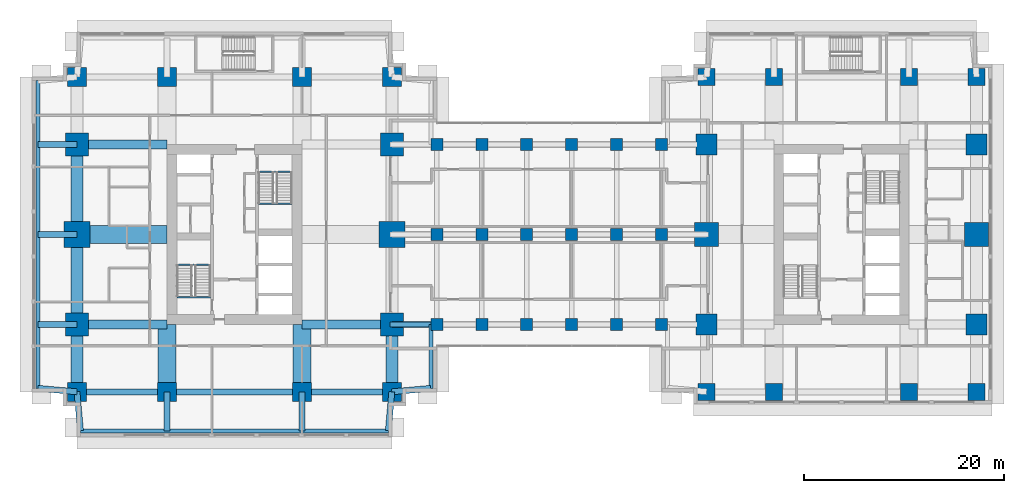
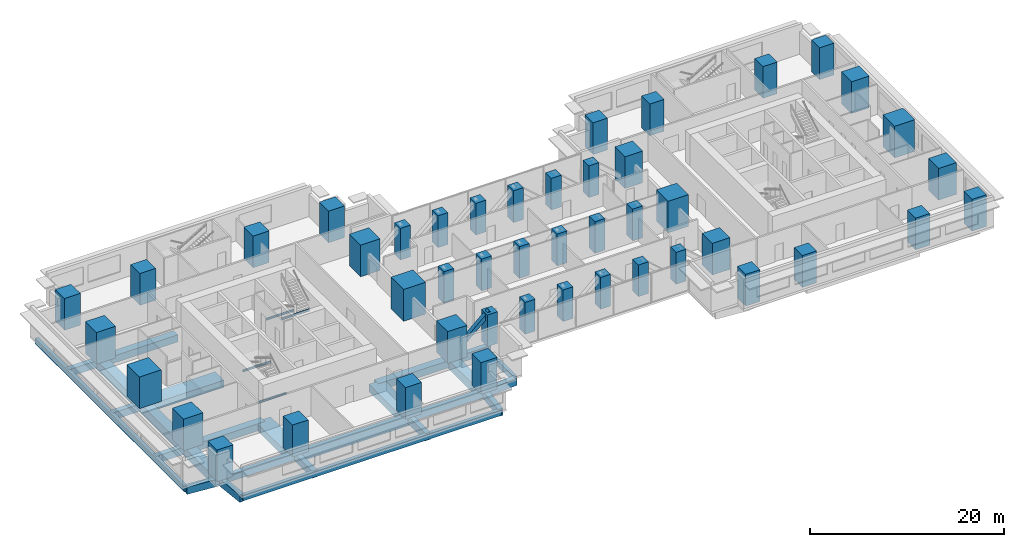
# One storey, part 1 of 16: 46 columns, 30 beams, 1 member.
"""IFC4 building model written with IfcOpenShell, lengths in metres."""

from ifc_helpers import new_model, si_unit, direction, frame, origin, origin_2d, place, context, subcontext, project, spatial, rectangle, hollow_rectangle, i_section, extrude, material, material_profile, profile_set, type_object, element, save


model = new_model("IFC4")

# Units and contexts
model_context = context("Model", 3, precision=1e-05, world=origin(), true_north=direction((0.0, 1.0)))
body_context = subcontext(model_context, "Body", "Model", "MODEL_VIEW")
ifc_project = project(units=[si_unit("LENGTHUNIT", "METRE"), si_unit("AREAUNIT", "SQUARE_METRE"), si_unit("VOLUMEUNIT", "CUBIC_METRE"), si_unit("PLANEANGLEUNIT", "RADIAN"), si_unit("MASSUNIT", "GRAM", prefix="KILO")], contexts=[model_context])

# Site, building, storey
site_placement = place(None, origin())
site = spatial("IfcSite", under=ifc_project, at=site_placement, CompositionType="ELEMENT")
building_placement = place(site_placement, origin())
building = spatial("IfcBuilding", under=site, at=building_placement, Name="Namib Vertical Campus", CompositionType="ELEMENT")
storey_placement = place(building_placement, frame((0.0, 0.0, 121.0)))
storey = spatial("IfcBuildingStorey", under=building, at=storey_placement, Name="L28", CompositionType="ELEMENT", Elevation=121.0)

# Columns
ifc_material_1 = material(Name="Concrete C60/75", Category="concrete")
ifc_material_profile_1 = material_profile(ifc_material_1, rectangle(XDim=1.199951171875, YDim=1.199951171875, at=origin_2d()))
ifc_profile_set_1 = profile_set([ifc_material_profile_1], Name="Concrete C60/75")
column_type_1 = type_object("IfcColumnType", Name="Bridge column RC 1200x1200", PredefinedType="COLUMN", material=ifc_profile_set_1)
for number, where, z_axis, x_axis, name in (
    (1, (40.5, 11.25, 0.0), (0.0, 0.0, 1.0), (1.0, 0.0, 0.0), "Column BC6 L28"),
    (2, (45.0, 11.25, 0.0), (0.0, 0.0, 1.0), (1.0, 0.0, 0.0), "Column BC6 L28"),
    (3, (49.5, 11.25, 0.0), (0.0, 0.0, 1.0), (1.0, 0.0, 0.0), "Column BC6 L28"),
    (4, (54.0, 11.25, 0.0), (0.0, 0.0, 1.0), (1.0, 0.0, 0.0), "Column BC6 L28"),
    (5, (58.5, 11.25, 0.0), (0.0, 0.0, 1.0), (1.0, 0.0, 0.0), "Column BC6 L28"),
    (6, (63.0, 11.25, 0.0), (0.0, 0.0, 1.0), (1.0, 0.0, 0.0), "Column BC6 L28"),
    (7, (40.5, 20.25, 0.0), (0.0, 0.0, 1.0), (1.0, 0.0, 0.0), "Column BC6 L28"),
    (8, (45.0, 20.25, 0.0), (0.0, 0.0, 1.0), (1.0, 0.0, 0.0), "Column BC6 L28"),
    (9, (49.5, 20.25, 0.0), (0.0, 0.0, 1.0), (1.0, 0.0, 0.0), "Column BC6 L28"),
    (10, (54.0, 20.25, 0.0), (0.0, 0.0, 1.0), (1.0, 0.0, 0.0), "Column BC6 L28"),
    (11, (58.5, 20.25, 0.0), (0.0, 0.0, 1.0), (1.0, 0.0, 0.0), "Column BC6 L28"),
    (12, (63.0, 20.25, 0.0), (0.0, 0.0, 1.0), (1.0, 0.0, 0.0), "Column BC6 L28"),
    (13, (40.5, 29.25, 0.0), (0.0, 0.0, 1.0), (1.0, 0.0, 0.0), "Column BC6 L28"),
    (14, (45.0, 29.25, 0.0), (0.0, 0.0, 1.0), (1.0, 0.0, 0.0), "Column BC6 L28"),
    (15, (49.5, 29.25, 0.0), (0.0, 0.0, 1.0), (1.0, 0.0, 0.0), "Column BC6 L28"),
    (16, (54.0, 29.25, 0.0), (0.0, 0.0, 1.0), (1.0, 0.0, 0.0), "Column BC6 L28"),
    (17, (58.5, 29.25, 0.0), (0.0, 0.0, 1.0), (1.0, 0.0, 0.0), "Column BC6 L28"),
    (18, (63.0, 29.25, 0.0), (0.0, 0.0, 1.0), (1.0, 0.0, 0.0), "Column BC6 L28"),
):
    element("IfcColumn", number, at=place(storey_placement, frame(where, z_axis=z_axis, x_axis=x_axis)), inside=storey, type_object=column_type_1, Name=name, PredefinedType="COLUMN", context=body_context, shape_type="SweptSolid", body=[
        extrude(rectangle(XDim=1.199951171875, YDim=1.199951171875, at=origin_2d()), origin(), (0.0, 0.0, 1.0), 4.0),
    ])
ifc_material_2 = material(Name="Concrete C60/75", Category="concrete")
ifc_material_profile_2 = material_profile(ifc_material_2, rectangle(XDim=1.699951171875, YDim=1.699951171875, at=origin_2d()))
ifc_profile_set_2 = profile_set([ifc_material_profile_2], Name="Concrete C60/75")
column_type_2 = type_object("IfcColumnType", Name="Column RC 1700x1700", PredefinedType="COLUMN", material=ifc_profile_set_2)
for number, where, z_axis, x_axis, name in (
    (19, (67.5, 4.5, 0.0), (0.0, 0.0, 1.0), (1.0, 0.0, 0.0), "Column C170 L28"),
    (20, (74.25, 4.5, 0.0), (0.0, 0.0, 1.0), (1.0, 0.0, 0.0), "Column C170 L28"),
    (21, (87.75, 4.5, 0.0), (0.0, 0.0, 1.0), (1.0, 0.0, 0.0), "Column C170 L28"),
    (22, (94.5, 4.5, 0.0), (0.0, 0.0, 1.0), (1.0, 0.0, 0.0), "Column C170 L28"),
    (23, (67.5, 36.0, 0.0), (0.0, 0.0, 1.0), (1.0, 0.0, 0.0), "Column C170 L28"),
    (24, (74.25, 36.0, 0.0), (0.0, 0.0, 1.0), (1.0, 0.0, 0.0), "Column C170 L28"),
    (25, (87.75, 36.0, 0.0), (0.0, 0.0, 1.0), (1.0, 0.0, 0.0), "Column C170 L28"),
    (26, (94.5, 36.0, 0.0), (0.0, 0.0, 1.0), (1.0, 0.0, 0.0), "Column C170 L28"),
):
    element("IfcColumn", number, at=place(storey_placement, frame(where, z_axis=z_axis, x_axis=x_axis)), inside=storey, type_object=column_type_2, Name=name, PredefinedType="COLUMN", context=body_context, shape_type="SweptSolid", body=[
        extrude(rectangle(XDim=1.699951171875, YDim=1.699951171875, at=origin_2d()), origin(), (0.0, 0.0, 1.0), 4.0),
    ])
ifc_material_3 = material(Name="Concrete C60/75", Category="concrete")
ifc_material_profile_3 = material_profile(ifc_material_3, rectangle(XDim=1.89990234375, YDim=1.89990234375, at=origin_2d()))
ifc_profile_set_3 = profile_set([ifc_material_profile_3], Name="Concrete C60/75")
column_type_3 = type_object("IfcColumnType", Name="Column RC 1900x1900", PredefinedType="COLUMN", material=ifc_profile_set_3)
for number, where, z_axis, x_axis, name in (
    (27, (4.5, 4.5, 0.0), (0.0, 0.0, 1.0), (1.0, 0.0, 0.0), "Column C190 L28"),
    (28, (13.5, 4.5, 0.0), (0.0, 0.0, 1.0), (1.0, 0.0, 0.0), "Column C190 L28"),
    (29, (27.0, 4.5, 0.0), (0.0, 0.0, 1.0), (1.0, 0.0, 0.0), "Column C190 L28"),
    (30, (36.0, 4.5, 0.0), (0.0, 0.0, 1.0), (1.0, 0.0, 0.0), "Column C190 L28"),
    (31, (4.5, 36.0, 0.0), (0.0, 0.0, 1.0), (1.0, 0.0, 0.0), "Column C190 L28"),
    (32, (13.5, 36.0, 0.0), (0.0, 0.0, 1.0), (1.0, 0.0, 0.0), "Column C190 L28"),
    (33, (27.0, 36.0, 0.0), (0.0, 0.0, 1.0), (1.0, 0.0, 0.0), "Column C190 L28"),
    (34, (36.0, 36.0, 0.0), (0.0, 0.0, 1.0), (1.0, 0.0, 0.0), "Column C190 L28"),
):
    element("IfcColumn", number, at=place(storey_placement, frame(where, z_axis=z_axis, x_axis=x_axis)), inside=storey, type_object=column_type_3, Name=name, PredefinedType="COLUMN", context=body_context, shape_type="SweptSolid", body=[
        extrude(rectangle(XDim=1.89990234375, YDim=1.89990234375, at=origin_2d()), origin(), (0.0, 0.0, 1.0), 4.0),
    ])
ifc_material_4 = material(Name="Concrete C60/75", Category="concrete")
ifc_material_profile_4 = material_profile(ifc_material_4, rectangle(XDim=2.10009765625, YDim=2.10009765625, at=origin_2d()))
ifc_profile_set_4 = profile_set([ifc_material_profile_4], Name="Concrete C60/75")
column_type_4 = type_object("IfcColumnType", Name="Column RC 2100x2100", PredefinedType="COLUMN", material=ifc_profile_set_4)
for number, where, z_axis, x_axis, name in (
    (35, (67.5, 11.25, 0.0), (0.0, 0.0, 1.0), (1.0, 0.0, 0.0), "Column C210 L28"),
    (36, (94.5, 11.25, 0.0), (0.0, 0.0, 1.0), (1.0, 0.0, 0.0), "Column C210 L28"),
    (37, (67.5, 29.25, 0.0), (0.0, 0.0, 1.0), (1.0, 0.0, 0.0), "Column C210 L28"),
    (38, (94.5, 29.25, 0.0), (0.0, 0.0, 1.0), (1.0, 0.0, 0.0), "Column C210 L28"),
):
    element("IfcColumn", number, at=place(storey_placement, frame(where, z_axis=z_axis, x_axis=x_axis)), inside=storey, type_object=column_type_4, Name=name, PredefinedType="COLUMN", context=body_context, shape_type="SweptSolid", body=[
        extrude(rectangle(XDim=2.10009765625, YDim=2.10009765625, at=origin_2d()), origin(), (0.0, 0.0, 1.0), 4.0),
    ])
ifc_material_5 = material(Name="Concrete C60/75", Category="concrete")
ifc_material_profile_5 = material_profile(ifc_material_5, rectangle(XDim=2.300048828125, YDim=2.300048828125, at=origin_2d()))
ifc_profile_set_5 = profile_set([ifc_material_profile_5], Name="Concrete C60/75")
column_type_5 = type_object("IfcColumnType", Name="Column RC 2300x2300", PredefinedType="COLUMN", material=ifc_profile_set_5)
for number, where, z_axis, x_axis, name in (
    (39, (4.5, 11.25, 0.0), (0.0, 0.0, 1.0), (1.0, 0.0, 0.0), "Column C230 L28"),
    (40, (36.0, 11.25, 0.0), (0.0, 0.0, 1.0), (1.0, 0.0, 0.0), "Column C230 L28"),
    (41, (4.5, 29.25, 0.0), (0.0, 0.0, 1.0), (1.0, 0.0, 0.0), "Column C230 L28"),
    (42, (36.0, 29.25, 0.0), (0.0, 0.0, 1.0), (1.0, 0.0, 0.0), "Column C230 L28"),
):
    element("IfcColumn", number, at=place(storey_placement, frame(where, z_axis=z_axis, x_axis=x_axis)), inside=storey, type_object=column_type_5, Name=name, PredefinedType="COLUMN", context=body_context, shape_type="SweptSolid", body=[
        extrude(rectangle(XDim=2.300048828125, YDim=2.300048828125, at=origin_2d()), origin(), (0.0, 0.0, 1.0), 4.0),
    ])
ifc_material_6 = material(Name="Concrete C60/75", Category="concrete")
ifc_material_profile_6 = material_profile(ifc_material_6, rectangle(XDim=2.39990234375, YDim=2.39990234375, at=origin_2d()))
ifc_profile_set_6 = profile_set([ifc_material_profile_6], Name="Concrete C60/75")
column_type_6 = type_object("IfcColumnType", Name="Column RC 2400x2400", PredefinedType="COLUMN", material=ifc_profile_set_6)
for number, where, z_axis, x_axis, name in (
    (43, (67.5, 20.25, 0.0), (0.0, 0.0, 1.0), (1.0, 0.0, 0.0), "Column C240 L28"),
    (44, (94.5, 20.25, 0.0), (0.0, 0.0, 1.0), (1.0, 0.0, 0.0), "Column C240 L28"),
):
    element("IfcColumn", number, at=place(storey_placement, frame(where, z_axis=z_axis, x_axis=x_axis)), inside=storey, type_object=column_type_6, Name=name, PredefinedType="COLUMN", context=body_context, shape_type="SweptSolid", body=[
        extrude(rectangle(XDim=2.39990234375, YDim=2.39990234375, at=origin_2d()), origin(), (0.0, 0.0, 1.0), 4.0),
    ])
ifc_material_7 = material(Name="Concrete C60/75", Category="concrete")
ifc_material_profile_7 = material_profile(ifc_material_7, rectangle(XDim=2.60009765625, YDim=2.60009765625, at=origin_2d()))
ifc_profile_set_7 = profile_set([ifc_material_profile_7], Name="Concrete C60/75")
column_type_7 = type_object("IfcColumnType", Name="Column RC 2600x2600", PredefinedType="COLUMN", material=ifc_profile_set_7)
for number, where, z_axis, x_axis, name in (
    (45, (4.5, 20.25, 0.0), (0.0, 0.0, 1.0), (1.0, 0.0, 0.0), "Column C260 L28"),
    (46, (36.0, 20.25, 0.0), (0.0, 0.0, 1.0), (1.0, 0.0, 0.0), "Column C260 L28"),
):
    element("IfcColumn", number, at=place(storey_placement, frame(where, z_axis=z_axis, x_axis=x_axis)), inside=storey, type_object=column_type_7, Name=name, PredefinedType="COLUMN", context=body_context, shape_type="SweptSolid", body=[
        extrude(rectangle(XDim=2.60009765625, YDim=2.60009765625, at=origin_2d()), origin(), (0.0, 0.0, 1.0), 4.0),
    ])

# Member
ifc_material_8 = material(Name="Steel S355JR", Category="steel")
ifc_material_profile_8 = material_profile(ifc_material_8, hollow_rectangle(XDim=0.5, YDim=0.5, WallThickness=0.031982421875, at=origin_2d()))
ifc_profile_set_8 = profile_set([ifc_material_profile_8], Name="Steel S355JR")
member_type = type_object("IfcMemberType", Name="Bridge end brace WB 500x500x32", PredefinedType="BRACE", material=ifc_profile_set_8)
member_placement = place(storey_placement, frame((36.0, 11.25, 0.0), z_axis=(0.747409318684, 0.0, 0.66436383883), x_axis=(0.0, 1.0, 0.0)))
element("IfcMember", 47, at=member_placement, inside=storey, type_object=member_type, Name="Bridge brace BX1 L28 T1 bay 1", PredefinedType="BRACE", context=body_context, shape_type="SweptSolid", body=[
    extrude(hollow_rectangle(XDim=0.5, YDim=0.5, WallThickness=0.031982421875, at=origin_2d()), origin(), (0.0, 0.0, 1.0), 6.020751953125),
])

# Beams
ifc_material_9 = material(Name="Steel S355JR", Category="steel")
ifc_material_profile_9 = material_profile(ifc_material_9, hollow_rectangle(XDim=0.60009765625, YDim=0.89990234375, WallThickness=0.050048828125, at=origin_2d()))
ifc_profile_set_9 = profile_set([ifc_material_profile_9], Name="Steel S355JR")
beam_type_1 = type_object("IfcBeamType", Name="Bridge girder WB 900x600x50", PredefinedType="BEAM", material=ifc_profile_set_9)
beam_1_placement = place(storey_placement, frame((36.0, 11.25, -0.699951171875), z_axis=(1.0, 0.0, 0.0), x_axis=(0.0, 1.0, 0.0)))
element("IfcBeam", 48, at=beam_1_placement, inside=storey, type_object=beam_type_1, Name="Bridge girder BG1 L28", PredefinedType="BEAM", context=body_context, shape_type="SweptSolid", body=[
    extrude(hollow_rectangle(XDim=0.60009765625, YDim=0.89990234375, WallThickness=0.050048828125, at=origin_2d()), origin(), (0.0, 0.0, 1.0), 4.5),
])
ifc_material_10 = material(Name="Concrete C40/50", Category="concrete")
ifc_material_profile_10 = material_profile(ifc_material_10, rectangle(XDim=0.60009765625, YDim=0.89990234375, at=origin_2d()))
ifc_profile_set_10 = profile_set([ifc_material_profile_10], Name="Concrete C40/50")
beam_type_2 = type_object("IfcBeamType", Name="Cantilever girder RC 600x900", PredefinedType="BEAM", material=ifc_profile_set_10)
beam_2_placement = place(storey_placement, frame((4.5, 4.5, -0.699951171875), z_axis=(0.089411326146, -0.995994786511, 0.0), x_axis=(0.995994786511, 0.089411326146, 0.0)))
element("IfcBeam", 49, at=beam_2_placement, inside=storey, type_object=beam_type_2, Name="Beam B3 L28", PredefinedType="BEAM", context=body_context, shape_type="SweptSolid", body=[
    extrude(rectangle(XDim=0.60009765625, YDim=0.89990234375, at=origin_2d()), origin(), (0.0, 0.0, 1.0), 3.91552734375),
])
for number, where, z_axis, x_axis, name in (
    (50, (13.5, 4.5, -0.699951171875), (0.0, -1.0, 0.0), (1.0, 0.0, 0.0), "Beam B3 L28"),
    (51, (27.0, 4.5, -0.699951171875), (0.0, -1.0, 0.0), (1.0, 0.0, 0.0), "Beam B3 L28"),
):
    element("IfcBeam", number, at=place(storey_placement, frame(where, z_axis=z_axis, x_axis=x_axis)), inside=storey, type_object=beam_type_2, Name=name, PredefinedType="BEAM", context=body_context, shape_type="SweptSolid", body=[
        extrude(rectangle(XDim=0.60009765625, YDim=0.89990234375, at=origin_2d()), origin(), (0.0, 0.0, 1.0), 3.89990234375),
    ])
for number, where, z_axis, x_axis, name in (
    (52, (36.0, 4.5, -0.699951171875), (-0.089411326146, -0.995994786511, 0.0), (0.995994786511, -0.089411326146, 0.0), "Beam B3 L28"),
    (53, (4.5, 4.5, -0.699951171875), (-0.995994786511, 0.089411326146, 0.0), (-0.089411326146, -0.995994786511, 0.0), "Beam B3 L28"),
):
    element("IfcBeam", number, at=place(storey_placement, frame(where, z_axis=z_axis, x_axis=x_axis)), inside=storey, type_object=beam_type_2, Name=name, PredefinedType="BEAM", context=body_context, shape_type="SweptSolid", body=[
        extrude(rectangle(XDim=0.60009765625, YDim=0.89990234375, at=origin_2d()), origin(), (0.0, 0.0, 1.0), 3.91552734375),
    ])
for number, where, z_axis, x_axis, name in (
    (54, (4.5, 11.25, -0.699951171875), (-1.0, 0.0, 0.0), (0.0, -1.0, 0.0), "Beam B3 L28"),
    (55, (4.5, 20.25, -0.699951171875), (-1.0, 0.0, 0.0), (0.0, -1.0, 0.0), "Beam B3 L28"),
    (56, (4.5, 29.25, -0.699951171875), (-1.0, 0.0, 0.0), (0.0, -1.0, 0.0), "Beam B3 L28"),
):
    element("IfcBeam", number, at=place(storey_placement, frame(where, z_axis=z_axis, x_axis=x_axis)), inside=storey, type_object=beam_type_2, Name=name, PredefinedType="BEAM", context=body_context, shape_type="SweptSolid", body=[
        extrude(rectangle(XDim=0.60009765625, YDim=0.89990234375, at=origin_2d()), origin(), (0.0, 0.0, 1.0), 3.89990234375),
    ])
beam_3_placement = place(storey_placement, frame((36.0, 4.5, -0.699951171875), z_axis=(0.995994786511, 0.089411326146, 0.0), x_axis=(-0.089411326146, 0.995994786511, 0.0)))
element("IfcBeam", 57, at=beam_3_placement, inside=storey, type_object=beam_type_2, Name="Beam B3 L28", PredefinedType="BEAM", context=body_context, shape_type="SweptSolid", body=[
    extrude(rectangle(XDim=0.60009765625, YDim=0.89990234375, at=origin_2d()), origin(), (0.0, 0.0, 1.0), 3.91552734375),
])
ifc_material_11 = material(Name="Concrete C40/50", Category="concrete")
ifc_material_profile_11 = material_profile(ifc_material_11, rectangle(XDim=0.39990234375, YDim=0.699951171875, at=origin_2d()))
ifc_profile_set_11 = profile_set([ifc_material_profile_11], Name="Concrete C40/50")
beam_type_3 = type_object("IfcBeamType", Name="Edge beam RC 400x700", PredefinedType="SPANDREL", material=ifc_profile_set_11)
for number, where, z_axis, x_axis, name in (
    (58, (4.85009765625, 0.60009765625, -0.60009765625), (1.0, 0.0, 0.0), (0.0, 1.0, 0.0), "Beam B4 L28"),
    (59, (0.60009765625, 4.85009765625, -0.60009765625), (0.0, 1.0, 0.0), (-1.0, 0.0, 0.0), "Beam B4 L28"),
):
    element("IfcBeam", number, at=place(storey_placement, frame(where, z_axis=z_axis, x_axis=x_axis)), inside=storey, type_object=beam_type_3, Name=name, PredefinedType="SPANDREL", context=body_context, shape_type="SweptSolid", body=[
        extrude(rectangle(XDim=0.39990234375, YDim=0.699951171875, at=origin_2d()), origin(), (0.0, 0.0, 1.0), 30.7998046875),
    ])
beam_4_placement = place(storey_placement, frame((39.89990234375, 4.85009765625, -0.60009765625), z_axis=(0.0, 1.0, 0.0), x_axis=(-1.0, 0.0, 0.0)))
element("IfcBeam", 60, at=beam_4_placement, inside=storey, type_object=beam_type_3, Name="Beam B4 L28", PredefinedType="SPANDREL", context=body_context, shape_type="SweptSolid", body=[
    extrude(rectangle(XDim=0.39990234375, YDim=0.699951171875, at=origin_2d()), origin(), (0.0, 0.0, 1.0), 6.39990234375),
])
ifc_material_12 = material(Name="Concrete C40/50", Category="concrete")
ifc_material_profile_12 = material_profile(ifc_material_12, rectangle(XDim=0.89990234375, YDim=0.89990234375, at=origin_2d()))
ifc_profile_set_12 = profile_set([ifc_material_profile_12], Name="Concrete C40/50")
beam_type_4 = type_object("IfcBeamType", Name="Face girder RC 900x900", PredefinedType="BEAM", material=ifc_profile_set_12)
for number, where, z_axis, x_axis, name in (
    (61, (4.5, 11.25, -0.699951171875), (1.0, 0.0, 0.0), (0.0, 1.0, 0.0), "Beam B10 L28"),
    (62, (36.0, 11.25, -0.699951171875), (-1.0, 0.0, 0.0), (0.0, -1.0, 0.0), "Beam B10 L28"),
    (63, (4.5, 29.25, -0.699951171875), (1.0, 0.0, 0.0), (0.0, 1.0, 0.0), "Beam B10 L28"),
):
    element("IfcBeam", number, at=place(storey_placement, frame(where, z_axis=z_axis, x_axis=x_axis)), inside=storey, type_object=beam_type_4, Name=name, PredefinedType="BEAM", context=body_context, shape_type="SweptSolid", body=[
        extrude(rectangle(XDim=0.89990234375, YDim=0.89990234375, at=origin_2d()), origin(), (0.0, 0.0, 1.0), 9.0),
    ])
ifc_material_13 = material(Name="Concrete C40/50", Category="concrete")
ifc_material_profile_13 = material_profile(ifc_material_13, rectangle(XDim=1.199951171875, YDim=1.10009765625, at=origin_2d()))
ifc_profile_set_13 = profile_set([ifc_material_profile_13], Name="Concrete C40/50")
beam_type_5 = type_object("IfcBeamType", Name="Face ring beam RC 1200x1100", PredefinedType="BEAM", material=ifc_profile_set_13)
beam_5_placement = place(storey_placement, frame((4.5, 4.5, -0.800048828125), z_axis=(0.0, 1.0, 0.0), x_axis=(-1.0, 0.0, 0.0)))
element("IfcBeam", 64, at=beam_5_placement, inside=storey, type_object=beam_type_5, Name="Beam B11 L28", PredefinedType="BEAM", context=body_context, shape_type="SweptSolid", body=[
    extrude(rectangle(XDim=1.199951171875, YDim=1.10009765625, at=origin_2d()), origin(), (0.0, 0.0, 1.0), 6.75),
])
for number, where, z_axis, x_axis, name in (
    (65, (4.5, 11.25, -0.800048828125), (0.0, 1.0, 0.0), (-1.0, 0.0, 0.0), "Beam B11 L28"),
    (66, (4.5, 20.25, -0.800048828125), (0.0, 1.0, 0.0), (-1.0, 0.0, 0.0), "Beam B11 L28"),
):
    element("IfcBeam", number, at=place(storey_placement, frame(where, z_axis=z_axis, x_axis=x_axis)), inside=storey, type_object=beam_type_5, Name=name, PredefinedType="BEAM", context=body_context, shape_type="SweptSolid", body=[
        extrude(rectangle(XDim=1.199951171875, YDim=1.10009765625, at=origin_2d()), origin(), (0.0, 0.0, 1.0), 9.0),
    ])
beam_6_placement = place(storey_placement, frame((36.0, 4.5, -0.800048828125), z_axis=(0.0, 1.0, 0.0), x_axis=(-1.0, 0.0, 0.0)))
element("IfcBeam", 67, at=beam_6_placement, inside=storey, type_object=beam_type_5, Name="Beam B11 L28", PredefinedType="BEAM", context=body_context, shape_type="SweptSolid", body=[
    extrude(rectangle(XDim=1.199951171875, YDim=1.10009765625, at=origin_2d()), origin(), (0.0, 0.0, 1.0), 6.75),
])
ifc_material_14 = material(Name="Steel S355JR", Category="steel")
ifc_material_profile_14 = material_profile(ifc_material_14, i_section(OverallWidth=0.14599609375, OverallDepth=0.25146484375, WebThickness=0.006103515625, FlangeThickness=0.008544921875, FilletRadius=0.007568359375, at=origin_2d()))
ifc_profile_set_14 = profile_set([ifc_material_profile_14], Name="Steel S355JR")
beam_type_6 = type_object("IfcBeamType", Name="Landing trimmer UB 254x146x31", PredefinedType="BEAM", material=ifc_profile_set_14)
for number, where, z_axis, x_axis, name in (
    (68, (14.5, 13.97705078125, -0.125732421875), (1.0, 0.0, 0.0), (0.0, 1.0, 0.0), "Landing trimmer LT1 A-S1 L28 1"),
    (69, (14.5, 17.203125, 1.874267578125), (1.0, 0.0, 0.0), (0.0, 1.0, 0.0), "Landing trimmer LT1 A-S1 L28 2"),
    (70, (22.64990234375, 26.52294921875, -0.125732421875), (1.0, 0.0, 0.0), (0.0, 1.0, 0.0), "Landing trimmer LT1 A-S2 L28 1"),
    (71, (22.64990234375, 23.296875, 1.874267578125), (1.0, 0.0, 0.0), (0.0, 1.0, 0.0), "Landing trimmer LT1 A-S2 L28 2"),
):
    element("IfcBeam", number, at=place(storey_placement, frame(where, z_axis=z_axis, x_axis=x_axis)), inside=storey, type_object=beam_type_6, Name=name, PredefinedType="BEAM", context=body_context, shape_type="SweptSolid", body=[
        extrude(i_section(OverallWidth=0.14599609375, OverallDepth=0.25146484375, WebThickness=0.006103515625, FlangeThickness=0.008544921875, FilletRadius=0.007568359375, at=origin_2d()), origin(), (0.0, 0.0, 1.0), 3.35009765625),
    ])
ifc_material_15 = material(Name="Concrete C40/50", Category="concrete")
ifc_material_profile_15 = material_profile(ifc_material_15, rectangle(XDim=0.60009765625, YDim=1.199951171875, at=origin_2d()))
ifc_profile_set_15 = profile_set([ifc_material_profile_15], Name="Concrete C40/50")
beam_type_7 = type_object("IfcBeamType", Name="Long-span ring beam RC 600x1200", PredefinedType="BEAM", material=ifc_profile_set_15)
beam_7_placement = place(storey_placement, frame((13.5, 4.5, -0.85009765625), z_axis=(1.0, 0.0, 0.0), x_axis=(0.0, 1.0, 0.0)))
element("IfcBeam", 72, at=beam_7_placement, inside=storey, type_object=beam_type_7, Name="Beam B9 L28", PredefinedType="BEAM", context=body_context, shape_type="SweptSolid", body=[
    extrude(rectangle(XDim=0.60009765625, YDim=1.199951171875, at=origin_2d()), origin(), (0.0, 0.0, 1.0), 13.5),
])
ifc_material_16 = material(Name="Concrete C40/50", Category="concrete")
ifc_material_profile_16 = material_profile(ifc_material_16, rectangle(XDim=1.800048828125, YDim=0.89990234375, at=origin_2d()))
ifc_profile_set_16 = profile_set([ifc_material_profile_16], Name="Concrete C40/50")
beam_type_8 = type_object("IfcBeamType", Name="Outrigger line girder RC 1800x900", PredefinedType="BEAM", material=ifc_profile_set_16)
for number, where, z_axis, x_axis, name in (
    (73, (13.5, 4.5, -0.699951171875), (0.0, 1.0, 0.0), (-1.0, 0.0, 0.0), "Beam B12 L28"),
    (74, (27.0, 4.5, -0.699951171875), (0.0, 1.0, 0.0), (-1.0, 0.0, 0.0), "Beam B12 L28"),
):
    element("IfcBeam", number, at=place(storey_placement, frame(where, z_axis=z_axis, x_axis=x_axis)), inside=storey, type_object=beam_type_8, Name=name, PredefinedType="BEAM", context=body_context, shape_type="SweptSolid", body=[
        extrude(rectangle(XDim=1.800048828125, YDim=0.89990234375, at=origin_2d()), origin(), (0.0, 0.0, 1.0), 6.75),
    ])
beam_8_placement = place(storey_placement, frame((4.5, 20.25, -0.699951171875), z_axis=(1.0, 0.0, 0.0), x_axis=(0.0, 1.0, 0.0)))
element("IfcBeam", 75, at=beam_8_placement, inside=storey, type_object=beam_type_8, Name="Beam B12 L28", PredefinedType="BEAM", context=body_context, shape_type="SweptSolid", body=[
    extrude(rectangle(XDim=1.800048828125, YDim=0.89990234375, at=origin_2d()), origin(), (0.0, 0.0, 1.0), 9.0),
])
ifc_material_17 = material(Name="Concrete C40/50", Category="concrete")
ifc_material_profile_17 = material_profile(ifc_material_17, rectangle(XDim=0.60009765625, YDim=0.800048828125, at=origin_2d()))
ifc_profile_set_17 = profile_set([ifc_material_profile_17], Name="Concrete C40/50")
beam_type_9 = type_object("IfcBeamType", Name="Ring beam RC 600x800", PredefinedType="BEAM", material=ifc_profile_set_17)
for number, where, z_axis, x_axis, name in (
    (76, (4.5, 4.5, -0.64990234375), (1.0, 0.0, 0.0), (0.0, 1.0, 0.0), "Beam B1 L28"),
    (77, (27.0, 4.5, -0.64990234375), (1.0, 0.0, 0.0), (0.0, 1.0, 0.0), "Beam B1 L28"),
):
    element("IfcBeam", number, at=place(storey_placement, frame(where, z_axis=z_axis, x_axis=x_axis)), inside=storey, type_object=beam_type_9, Name=name, PredefinedType="BEAM", context=body_context, shape_type="SweptSolid", body=[
        extrude(rectangle(XDim=0.60009765625, YDim=0.800048828125, at=origin_2d()), origin(), (0.0, 0.0, 1.0), 9.0),
    ])

save(model, "model.ifc")
